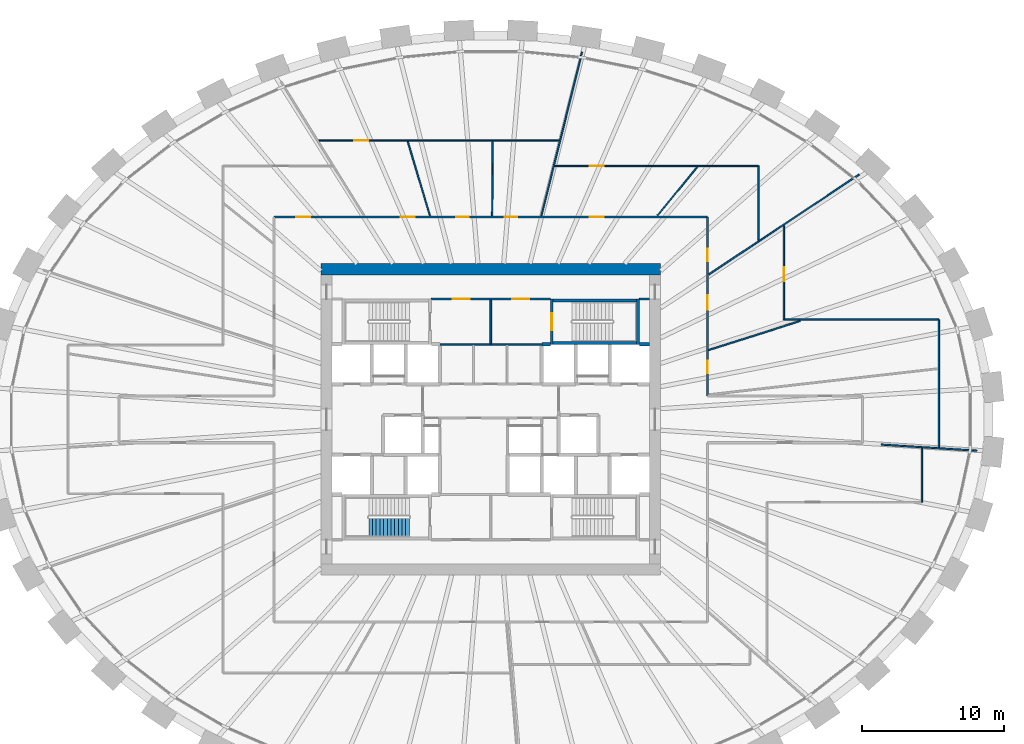
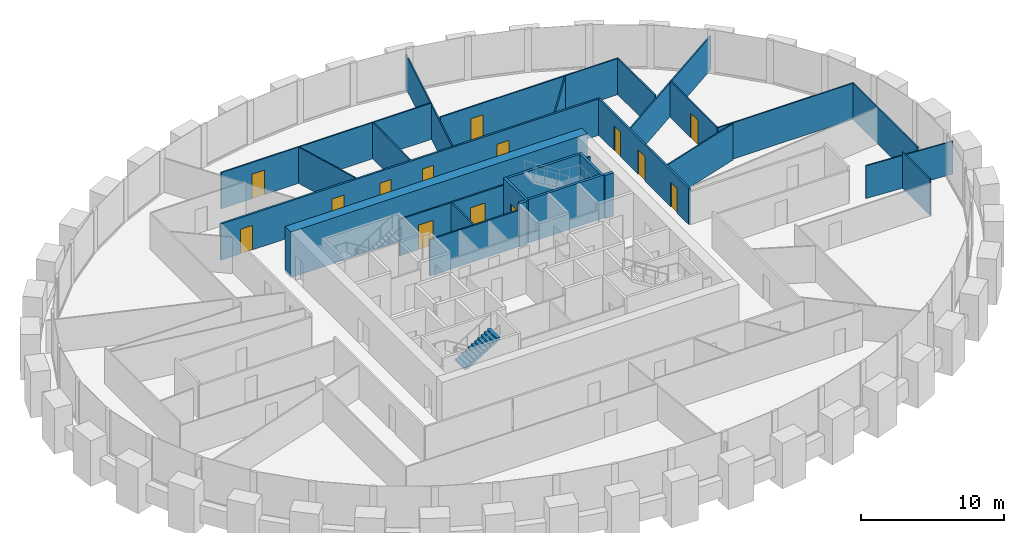
# One storey, part 9 of 11: 27 walls, 14 doors, 1 stair flight, 14 openings, 1 element without a shape of its own.
"""IFC4 building model written with IfcOpenShell, lengths in metres."""

from ifc_helpers import new_model, si_unit, direction, frame, frame_2d, origin, place, context, subcontext, project, spatial, polyline, rectangle, outline, extrude, source, transform, mapped, material, layer, layer_set, type_object, element, fill, aggregate, save


model = new_model("IFC4")

# Units and contexts
model_context = context("Model", 3, precision=1e-05, world=origin(), true_north=direction((0.0, 1.0)))
body_context = subcontext(model_context, "Body", "Model", "MODEL_VIEW")
ifc_project = project(units=[si_unit("LENGTHUNIT", "METRE"), si_unit("AREAUNIT", "SQUARE_METRE"), si_unit("VOLUMEUNIT", "CUBIC_METRE"), si_unit("PLANEANGLEUNIT", "RADIAN"), si_unit("MASSUNIT", "GRAM", prefix="KILO")], contexts=[model_context])

# Site, building, storey
site_placement = place(None, origin())
site = spatial("IfcSite", under=ifc_project, at=site_placement, CompositionType="ELEMENT")
building_placement = place(site_placement, origin())
building = spatial("IfcBuilding", under=site, at=building_placement, Name="Embergate Tower", CompositionType="ELEMENT")
storey_placement = place(building_placement, frame((0.0, 0.0, 219.0)))
storey = spatial("IfcBuildingStorey", under=building, at=storey_placement, Name="L50", CompositionType="ELEMENT", Elevation=219.0)

# Walls
ifc_material_1 = material(Name="Concrete C70", Category="concrete")
ifc_layer_1 = layer(ifc_material_1, 0.800048828125)
ifc_layer_set_1 = layer_set([ifc_layer_1], Name="Concrete C70")
wall_type_1 = type_object("IfcWallType", Name="Core outer wall C70 800", PredefinedType="SHEAR", material=ifc_layer_set_1)
shared_shape_1 = source(origin(), body_context, "Body", "SweptSolid", [
    extrude(rectangle(XDim=24.0, YDim=0.800048828125, at=frame_2d((12.0, 0.0))), origin(), (0.0, 0.0, 1.0), 3.89990234375),
])
wall_1_placement = place(storey_placement, frame((-12.0, 10.60009765625, -0.199951171875), z_axis=(0.0, 0.0, 1.0), x_axis=(1.0, 0.0, 0.0)))
element("IfcWall", 1, at=wall_1_placement, inside=storey, type_object=wall_type_1, Name="CW-L50-N", PredefinedType="SHEAR", context=body_context, shape_type="MappedRepresentation", body=[
    mapped(shared_shape_1, transform((0.0, 0.0, 0.0))),
])
ifc_material_2 = material(Name="Concrete C50", Category="concrete")
ifc_layer_2 = layer(ifc_material_2, 0.199951171875)
ifc_layer_set_2 = layer_set([ifc_layer_2], Name="Concrete C50")
wall_type_2 = type_object("IfcWallType", Name="Stair enclosure wall reinforced concrete 250", PredefinedType="SHEAR", material=ifc_layer_set_2)
shared_shape_2 = source(origin(), body_context, "Body", "SweptSolid", [
    extrude(rectangle(XDim=6.300048828125, YDim=0.199951171875, at=frame_2d((3.14990234375, 0.0))), origin(), (0.0, 0.0, 1.0), 3.699951171875),
])
for number, where, z_axis, x_axis, name in (
    (2, (10.5, 5.39990234375, 0.0), (0.0, 0.0, 1.0), (-1.0, 0.0, 0.0), "SE-1 wall"),
    (3, (10.5, 8.39990234375, 0.0), (0.0, 0.0, 1.0), (-1.0, 0.0, 0.0), "SE-1 wall"),
):
    element("IfcWall", number, at=place(storey_placement, frame(where, z_axis=z_axis, x_axis=x_axis)), inside=storey, type_object=wall_type_2, Name=name, PredefinedType="SHEAR", context=body_context, shape_type="MappedRepresentation", body=[
        mapped(shared_shape_2, transform((0.0, 0.0, 0.0))),
    ])

# Wall, opening, door
shared_shape_3 = source(origin(), body_context, "Body", "SweptSolid", [
    extrude(rectangle(XDim=3.199951171875, YDim=0.199951171875, at=frame_2d((1.60009765625, 0.0))), origin(), (0.0, 0.0, 1.0), 3.699951171875),
])
wall_2_placement = place(storey_placement, frame((4.300048828125, 8.5, 0.0), z_axis=(0.0, 0.0, 1.0), x_axis=(0.0, -1.0, 0.0)))
wall_2 = element("IfcWall", 4, at=wall_2_placement, inside=storey, type_object=wall_type_2, Name="SE-1 wall", PredefinedType="SHEAR", context=body_context, shape_type="MappedRepresentation", body=[
    mapped(shared_shape_3, transform((0.0, 0.0, 0.0))),
])
shared_shape_4 = source(origin(), body_context, "Body", "SweptSolid", [
    extrude(rectangle(XDim=1.199951171875, YDim=2.10009765625, at=frame_2d((0.60009765625, 1.050048828125))), frame((0.0, 0.10986328125, 0.0), z_axis=(0.0, -1.0, 0.0), x_axis=(1.0, 0.0, 0.0)), (0.0, 0.0, 1.0), 0.219970703125),
])
opening_1_placement = place(wall_2_placement, frame((1.0, 0.0, 0.0)))
opening_1 = element("IfcOpeningElement", 5, at=opening_1_placement, cuts=wall_2, Name="Opening IF-2", PredefinedType="OPENING", context=body_context, shape_type="MappedRepresentation", body=[
    mapped(shared_shape_4, transform((0.0, 0.0, 0.0))),
])
ifc_material_3 = material(Name="Stair enclosure door 1200")
door_type_1 = type_object("IfcDoorType", Name="Stair enclosure door 1200", OperationType="SINGLE_SWING_LEFT", PredefinedType="DOOR", material=ifc_material_3)
shared_shape_5 = source(origin(), body_context, "Body", "SweptSolid", [
    extrude(rectangle(XDim=1.199951171875, YDim=2.10009765625, at=frame_2d((0.60009765625, 1.050048828125))), frame((0.0, 0.02490234375, 0.0), z_axis=(0.0, -1.0, 0.0), x_axis=(1.0, 0.0, 0.0)), (0.0, 0.0, 1.0), 0.050048828125),
])
door_1_placement = place(opening_1_placement, origin())
door_1 = element("IfcDoor", 6, at=door_1_placement, inside=storey, type_object=door_type_1, Name="IF-2 door", OperationType="SINGLE_SWING_RIGHT", OverallHeight=2.10009765625, OverallWidth=1.199951171875, PredefinedType="DOOR", context=body_context, shape_type="MappedRepresentation", body=[
    mapped(shared_shape_5, transform((0.0, 0.0, 0.0))),
])
fill(opening_1, door_1)

# Wall, openings, doors
ifc_material_4 = material(Name="Core partition blockwork 120")
ifc_layer_3 = layer(ifc_material_4, 0.1201171875)
ifc_layer_set_3 = layer_set([ifc_layer_3], Name="Core partition blockwork 120")
wall_type_3 = type_object("IfcWallType", Name="Core partition blockwork 120", PredefinedType="PARTITIONING", material=ifc_layer_set_3)
shared_shape_6 = source(origin(), body_context, "Body", "SweptSolid", [
    extrude(rectangle(XDim=8.39990234375, YDim=0.1201171875, at=frame_2d((4.199951171875, 0.0))), origin(), (0.0, 0.0, 1.0), 3.10009765625),
])
wall_3_placement = place(storey_placement, frame((4.199951171875, 8.5, 0.0), z_axis=(0.0, 0.0, 1.0), x_axis=(-1.0, 0.0, 0.0)))
wall_3 = element("IfcWall", 7, at=wall_3_placement, inside=storey, type_object=wall_type_3, Name="IP-3 wall", PredefinedType="PARTITIONING", context=body_context, shape_type="MappedRepresentation", body=[
    mapped(shared_shape_6, transform((0.0, 0.0, 0.0))),
])
shared_shape_7 = source(origin(), body_context, "Body", "SweptSolid", [
    extrude(rectangle(XDim=1.199951171875, YDim=2.10009765625, at=frame_2d((0.60009765625, 1.050048828125))), frame((0.0, 0.070068359375, 0.0), z_axis=(0.0, -1.0, 0.0), x_axis=(1.0, 0.0, 0.0)), (0.0, 0.0, 1.0), 0.14013671875),
])
opening_2_placement = place(wall_3_placement, frame((5.699951171875, 0.0, 0.0)))
opening_2 = element("IfcOpeningElement", 8, at=opening_2_placement, cuts=wall_3, Name="Opening IF-3f", PredefinedType="OPENING", context=body_context, shape_type="MappedRepresentation", body=[
    mapped(shared_shape_7, transform((0.0, 0.0, 0.0))),
])
opening_3_placement = place(wall_3_placement, frame((1.5, 0.0, 0.0)))
opening_3 = element("IfcOpeningElement", 9, at=opening_3_placement, cuts=wall_3, Name="Opening IF-3f", PredefinedType="OPENING", context=body_context, shape_type="MappedRepresentation", body=[
    mapped(shared_shape_7, transform((0.0, 0.0, 0.0))),
])
ifc_material_5 = material(Name="Lobby fire door pair 1200")
door_type_2 = type_object("IfcDoorType", Name="Lobby fire door pair 1200", OperationType="DOUBLE_DOOR_SINGLE_SWING", PredefinedType="DOOR", material=ifc_material_5)
door_2_placement = place(opening_2_placement, origin())
door_2 = element("IfcDoor", 10, at=door_2_placement, inside=storey, type_object=door_type_2, Name="IF-3 door", OperationType="DOUBLE_DOOR_SINGLE_SWING", OverallHeight=2.10009765625, OverallWidth=1.199951171875, PredefinedType="DOOR", context=body_context, shape_type="MappedRepresentation", body=[
    mapped(shared_shape_5, transform((0.0, 0.0, 0.0))),
])
fill(opening_2, door_2)
door_3_placement = place(opening_3_placement, origin())
door_3 = element("IfcDoor", 11, at=door_3_placement, inside=storey, type_object=door_type_2, Name="IF-3 door", OperationType="DOUBLE_DOOR_SINGLE_SWING", OverallHeight=2.10009765625, OverallWidth=1.199951171875, PredefinedType="DOOR", context=body_context, shape_type="MappedRepresentation", body=[
    mapped(shared_shape_5, transform((0.0, 0.0, 0.0))),
])
fill(opening_3, door_3)

# Walls
ifc_material_6 = material(Name="Partition dry-lined 100")
ifc_layer_4 = layer(ifc_material_6, 0.10009765625)
ifc_layer_set_4 = layer_set([ifc_layer_4], Name="Partition dry-lined 100")
wall_type_4 = type_object("IfcWallType", Name="Partition dry-lined 100", PredefinedType="PARTITIONING", material=ifc_layer_set_4)
shared_shape_8 = source(origin(), body_context, "Body", "SweptSolid", [
    extrude(rectangle(XDim=10.949951171875, YDim=0.10009765625, at=frame_2d((5.47509765625, 0.0))), origin(), (0.0, 0.0, 1.0), 3.10009765625),
])
wall_4_placement = place(storey_placement, frame((20.699951171875, 7.050048828125, 0.0), z_axis=(0.0, 0.0, 1.0), x_axis=(1.0, 0.0, 0.0)))
element("IfcWall", 12, at=wall_4_placement, inside=storey, type_object=wall_type_4, Name="IP-1 wall", PredefinedType="PARTITIONING", context=body_context, shape_type="MappedRepresentation", body=[
    mapped(shared_shape_8, transform((0.0, 0.0, 0.0))),
])
ifc_layer_5 = layer(ifc_material_2, 0.25)
ifc_layer_set_5 = layer_set([ifc_layer_5], Name="Concrete C50")
wall_type_5 = type_object("IfcWallType", Name="Hoistway wall reinforced concrete 250", PredefinedType="SHEAR", material=ifc_layer_set_5)
shared_shape_9 = source(origin(), body_context, "Body", "SweptSolid", [
    extrude(rectangle(XDim=0.599853515625, YDim=0.25, at=frame_2d((0.2998046875, 0.0))), origin(), (0.0, 0.0, 1.0), 3.699951171875),
])
wall_5_placement = place(storey_placement, frame((4.199951171875, 5.300048828125, 0.0), z_axis=(0.0, 0.0, 1.0), x_axis=(-1.0, 0.0, 0.0)))
element("IfcWall", 13, at=wall_5_placement, inside=storey, type_object=wall_type_5, Name="HW-1 wall", PredefinedType="SHEAR", context=body_context, shape_type="MappedRepresentation", body=[
    mapped(shared_shape_9, transform((0.0, 0.0, 0.0))),
])
shared_shape_10 = source(origin(), body_context, "Body", "SweptSolid", [
    extrude(rectangle(XDim=7.2001953125, YDim=0.1201171875, at=frame_2d((3.60009765625, 0.0))), origin(), (0.0, 0.0, 1.0), 3.10009765625),
])
wall_6_placement = place(storey_placement, frame((-3.60009765625, 5.300048828125, 0.0), z_axis=(0.0, 0.0, 1.0), x_axis=(1.0, 0.0, 0.0)))
element("IfcWall", 14, at=wall_6_placement, inside=storey, type_object=wall_type_3, Name="IP-3 wall", PredefinedType="PARTITIONING", context=body_context, shape_type="MappedRepresentation", body=[
    mapped(shared_shape_10, transform((0.0, 0.0, 0.0))),
])
shared_shape_11 = source(origin(), body_context, "Body", "SweptSolid", [
    extrude(rectangle(XDim=3.079833984375, YDim=0.1201171875, at=frame_2d((1.5400390625, 0.0))), origin(), (0.0, 0.0, 1.0), 3.10009765625),
])
wall_7_placement = place(storey_placement, frame((0.0, 5.360107421875, 0.0), z_axis=(0.0, 0.0, 1.0), x_axis=(0.0, 1.0, 0.0)))
element("IfcWall", 15, at=wall_7_placement, inside=storey, type_object=wall_type_3, Name="IP-3 wall", PredefinedType="PARTITIONING", context=body_context, shape_type="MappedRepresentation", body=[
    mapped(shared_shape_11, transform((0.0, 0.0, 0.0))),
])
shared_shape_12 = source(origin(), body_context, "Body", "SweptSolid", [
    extrude(rectangle(XDim=3.196044921875, YDim=0.199951171875, at=frame_2d((1.59814453125, 0.0))), origin(), (0.0, 0.0, 1.0), 3.699951171875),
])
wall_8_placement = place(storey_placement, frame((10.39990234375, 5.302001953125, 0.0), z_axis=(0.0, 0.0, 1.0), x_axis=(0.0, 1.0, 0.0)))
element("IfcWall", 16, at=wall_8_placement, inside=storey, type_object=wall_type_2, Name="SE-1 wall", PredefinedType="SHEAR", context=body_context, shape_type="MappedRepresentation", body=[
    mapped(shared_shape_12, transform((0.0, 0.0, 0.0))),
])
shared_shape_13 = source(origin(), body_context, "Body", "SweptSolid", [
    extrude(rectangle(XDim=0.697998046875, YDim=0.25, at=frame_2d((0.34912109375, 0.0))), origin(), (0.0, 0.0, 1.0), 3.699951171875),
])
wall_9_placement = place(storey_placement, frame((11.199951171875, 5.300048828125, 0.0), z_axis=(0.0, 0.0, 1.0), x_axis=(-1.0, 0.0, 0.0)))
element("IfcWall", 17, at=wall_9_placement, inside=storey, type_object=wall_type_5, Name="HW-1 wall", PredefinedType="SHEAR", context=body_context, shape_type="MappedRepresentation", body=[
    mapped(shared_shape_13, transform((0.0, 0.0, 0.0))),
])
shared_shape_14 = source(origin(), body_context, "Body", "SweptSolid", [
    extrude(rectangle(XDim=0.697998046875, YDim=0.1201171875, at=frame_2d((0.34912109375, 0.0))), origin(), (0.0, 0.0, 1.0), 3.10009765625),
])
wall_10_placement = place(storey_placement, frame((10.501953125, 8.5, 0.0), z_axis=(0.0, 0.0, 1.0), x_axis=(1.0, 0.0, 0.0)))
element("IfcWall", 18, at=wall_10_placement, inside=storey, type_object=wall_type_3, Name="IP-3 wall", PredefinedType="PARTITIONING", context=body_context, shape_type="MappedRepresentation", body=[
    mapped(shared_shape_14, transform((0.0, 0.0, 0.0))),
])

# Wall, openings, doors
ifc_material_7 = material(Name="Corridor wall dry-lined 150")
ifc_layer_6 = layer(ifc_material_7, 0.14990234375)
ifc_layer_set_6 = layer_set([ifc_layer_6], Name="Corridor wall dry-lined 150")
wall_type_6 = type_object("IfcWallType", Name="Corridor wall dry-lined 150", PredefinedType="PARTITIONING", material=ifc_layer_set_6)
shared_shape_15 = source(origin(), body_context, "Body", "SweptSolid", [
    extrude(rectangle(XDim=30.60009765625, YDim=0.14990234375, at=frame_2d((15.300048828125, 0.0))), origin(), (0.0, 0.0, 1.0), 3.10009765625),
])
wall_11_placement = place(storey_placement, frame((-15.300048828125, 14.300048828125, 0.0), z_axis=(0.0, 0.0, 1.0), x_axis=(1.0, 0.0, 0.0)))
wall_11 = element("IfcWall", 19, at=wall_11_placement, inside=storey, type_object=wall_type_6, Name="IP-2 wall", PredefinedType="PARTITIONING", context=body_context, shape_type="MappedRepresentation", body=[
    mapped(shared_shape_15, transform((0.0, 0.0, 0.0))),
])
shared_shape_16 = source(origin(), body_context, "Body", "SweptSolid", [
    extrude(rectangle(XDim=1.0, YDim=2.10009765625, at=frame_2d((0.5, 1.050048828125))), frame((0.0, 0.0849609375, 0.0), z_axis=(0.0, -1.0, 0.0), x_axis=(1.0, 0.0, 0.0)), (0.0, 0.0, 1.0), 0.169921875),
])
opening_4_placement = place(wall_11_placement, frame((22.2900390625, 0.0, 0.0)))
opening_4 = element("IfcOpeningElement", 20, at=opening_4_placement, cuts=wall_11, Name="Opening ID-2", PredefinedType="OPENING", context=body_context, shape_type="MappedRepresentation", body=[
    mapped(shared_shape_16, transform((0.0, 0.0, 0.0))),
])
shared_shape_17 = source(origin(), body_context, "Body", "SweptSolid", [
    extrude(rectangle(XDim=0.89990234375, YDim=2.10009765625, at=frame_2d((0.449951171875, 1.050048828125))), frame((0.0, 0.0849609375, 0.0), z_axis=(0.0, -1.0, 0.0), x_axis=(1.0, 0.0, 0.0)), (0.0, 0.0, 1.0), 0.169921875),
])
opening_5_placement = place(wall_11_placement, frame((16.283935546875, 0.0, 0.0)))
opening_5 = element("IfcOpeningElement", 21, at=opening_5_placement, cuts=wall_11, Name="Opening IF-1c", PredefinedType="OPENING", context=body_context, shape_type="MappedRepresentation", body=[
    mapped(shared_shape_17, transform((0.0, 0.0, 0.0))),
])
opening_6_placement = place(wall_11_placement, frame((12.84912109375, 0.0, 0.0)))
opening_6 = element("IfcOpeningElement", 22, at=opening_6_placement, cuts=wall_11, Name="Opening IF-1c", PredefinedType="OPENING", context=body_context, shape_type="MappedRepresentation", body=[
    mapped(shared_shape_17, transform((0.0, 0.0, 0.0))),
])
opening_7_placement = place(wall_11_placement, frame((8.945068359375, 0.0, 0.0)))
opening_7 = element("IfcOpeningElement", 23, at=opening_7_placement, cuts=wall_11, Name="Opening ID-2", PredefinedType="OPENING", context=body_context, shape_type="MappedRepresentation", body=[
    mapped(shared_shape_16, transform((0.0, 0.0, 0.0))),
])
opening_8_placement = place(wall_11_placement, frame((1.552001953125, 0.0, 0.0)))
opening_8 = element("IfcOpeningElement", 24, at=opening_8_placement, cuts=wall_11, Name="Opening ID-2", PredefinedType="OPENING", context=body_context, shape_type="MappedRepresentation", body=[
    mapped(shared_shape_16, transform((0.0, 0.0, 0.0))),
])
ifc_material_8 = material(Name="Escape fire door 900")
door_type_3 = type_object("IfcDoorType", Name="Escape fire door 900", OperationType="SINGLE_SWING_LEFT", PredefinedType="DOOR", material=ifc_material_8)
shared_shape_18 = source(origin(), body_context, "Body", "SweptSolid", [
    extrude(rectangle(XDim=0.89990234375, YDim=2.10009765625, at=frame_2d((0.449951171875, 1.050048828125))), frame((0.0, 0.02490234375, 0.0), z_axis=(0.0, -1.0, 0.0), x_axis=(1.0, 0.0, 0.0)), (0.0, 0.0, 1.0), 0.050048828125),
])
door_4_placement = place(opening_5_placement, origin())
door_4 = element("IfcDoor", 25, at=door_4_placement, inside=storey, type_object=door_type_3, Name="IF-1 door", OperationType="SINGLE_SWING_RIGHT", OverallHeight=2.10009765625, OverallWidth=0.89990234375, PredefinedType="DOOR", context=body_context, shape_type="MappedRepresentation", body=[
    mapped(shared_shape_18, transform((0.0, 0.0, 0.0))),
])
fill(opening_5, door_4)
door_5_placement = place(opening_6_placement, origin())
door_5 = element("IfcDoor", 26, at=door_5_placement, inside=storey, type_object=door_type_3, Name="IF-1 door", OperationType="SINGLE_SWING_LEFT", OverallHeight=2.10009765625, OverallWidth=0.89990234375, PredefinedType="DOOR", context=body_context, shape_type="MappedRepresentation", body=[
    mapped(shared_shape_18, transform((0.0, 0.0, 0.0))),
])
fill(opening_6, door_5)
ifc_material_9 = material(Name="Interior door 1000")
door_type_4 = type_object("IfcDoorType", Name="Interior door 1000", OperationType="SINGLE_SWING_LEFT", PredefinedType="DOOR", material=ifc_material_9)
shared_shape_19 = source(origin(), body_context, "Body", "SweptSolid", [
    extrude(rectangle(XDim=1.0, YDim=2.10009765625, at=frame_2d((0.5, 1.050048828125))), frame((0.0, 0.02490234375, 0.0), z_axis=(0.0, -1.0, 0.0), x_axis=(1.0, 0.0, 0.0)), (0.0, 0.0, 1.0), 0.050048828125),
])
door_6_placement = place(opening_4_placement, origin())
door_6 = element("IfcDoor", 27, at=door_6_placement, inside=storey, type_object=door_type_4, Name="ID-2 door", OperationType="SINGLE_SWING_RIGHT", OverallHeight=2.10009765625, OverallWidth=1.0, PredefinedType="DOOR", context=body_context, shape_type="MappedRepresentation", body=[
    mapped(shared_shape_19, transform((0.0, 0.0, 0.0))),
])
fill(opening_4, door_6)
door_7_placement = place(opening_7_placement, origin())
door_7 = element("IfcDoor", 28, at=door_7_placement, inside=storey, type_object=door_type_4, Name="ID-2 door", OperationType="SINGLE_SWING_LEFT", OverallHeight=2.10009765625, OverallWidth=1.0, PredefinedType="DOOR", context=body_context, shape_type="MappedRepresentation", body=[
    mapped(shared_shape_19, transform((0.0, 0.0, 0.0))),
])
fill(opening_7, door_7)
door_8_placement = place(opening_8_placement, origin())
door_8 = element("IfcDoor", 29, at=door_8_placement, inside=storey, type_object=door_type_4, Name="ID-2 door", OperationType="SINGLE_SWING_RIGHT", OverallHeight=2.10009765625, OverallWidth=1.0, PredefinedType="DOOR", context=body_context, shape_type="MappedRepresentation", body=[
    mapped(shared_shape_19, transform((0.0, 0.0, 0.0))),
])
fill(opening_8, door_8)

shared_shape_20 = source(origin(), body_context, "Body", "SweptSolid", [
    extrude(rectangle(XDim=12.650146484375, YDim=0.14990234375, at=frame_2d((6.3251953125, 0.0))), origin(), (0.0, 0.0, 1.0), 3.10009765625),
])
wall_12_placement = place(storey_placement, frame((15.300048828125, 1.64990234375, 0.0), z_axis=(0.0, 0.0, 1.0), x_axis=(0.0, 1.0, 0.0)))
wall_12 = element("IfcWall", 30, at=wall_12_placement, inside=storey, type_object=wall_type_6, Name="IP-2 wall", PredefinedType="PARTITIONING", context=body_context, shape_type="MappedRepresentation", body=[
    mapped(shared_shape_20, transform((0.0, 0.0, 0.0))),
])
opening_9_placement = place(wall_12_placement, frame((1.594970703125, 0.0, 0.0)))
opening_9 = element("IfcOpeningElement", 31, at=opening_9_placement, cuts=wall_12, Name="Opening IF-1c", PredefinedType="OPENING", context=body_context, shape_type="MappedRepresentation", body=[
    mapped(shared_shape_17, transform((0.0, 0.0, 0.0))),
])
opening_10_placement = place(wall_12_placement, frame((6.112060546875, 0.0, 0.0)))
opening_10 = element("IfcOpeningElement", 32, at=opening_10_placement, cuts=wall_12, Name="Opening ID-2", PredefinedType="OPENING", context=body_context, shape_type="MappedRepresentation", body=[
    mapped(shared_shape_16, transform((0.0, 0.0, 0.0))),
])
opening_11_placement = place(wall_12_placement, frame((9.506103515625, 0.0, 0.0)))
opening_11 = element("IfcOpeningElement", 33, at=opening_11_placement, cuts=wall_12, Name="Opening IF-1c", PredefinedType="OPENING", context=body_context, shape_type="MappedRepresentation", body=[
    mapped(shared_shape_17, transform((0.0, 0.0, 0.0))),
])
door_9_placement = place(opening_9_placement, origin())
door_9 = element("IfcDoor", 34, at=door_9_placement, inside=storey, type_object=door_type_3, Name="IF-1 door", OperationType="SINGLE_SWING_LEFT", OverallHeight=2.10009765625, OverallWidth=0.89990234375, PredefinedType="DOOR", context=body_context, shape_type="MappedRepresentation", body=[
    mapped(shared_shape_18, transform((0.0, 0.0, 0.0))),
])
fill(opening_9, door_9)
door_10_placement = place(opening_11_placement, origin())
door_10 = element("IfcDoor", 35, at=door_10_placement, inside=storey, type_object=door_type_3, Name="IF-1 door", OperationType="SINGLE_SWING_RIGHT", OverallHeight=2.10009765625, OverallWidth=0.89990234375, PredefinedType="DOOR", context=body_context, shape_type="MappedRepresentation", body=[
    mapped(shared_shape_18, transform((0.0, 0.0, 0.0))),
])
fill(opening_11, door_10)
door_11_placement = place(opening_10_placement, origin())
door_11 = element("IfcDoor", 36, at=door_11_placement, inside=storey, type_object=door_type_4, Name="ID-2 door", OperationType="SINGLE_SWING_LEFT", OverallHeight=2.10009765625, OverallWidth=1.0, PredefinedType="DOOR", context=body_context, shape_type="MappedRepresentation", body=[
    mapped(shared_shape_19, transform((0.0, 0.0, 0.0))),
])
fill(opening_10, door_11)

# Walls
shared_shape_21 = source(origin(), body_context, "Body", "SweptSolid", [
    extrude(rectangle(XDim=3.839111328125, YDim=0.10009765625, at=frame_2d((1.91943359375, 0.0))), origin(), (0.0, 0.0, 1.0), 3.10009765625),
])
wall_13_placement = place(storey_placement, frame((30.449951171875, -2.010986328125, 0.0), z_axis=(0.0, 0.0, 1.0), x_axis=(0.0, -1.0, 0.0)))
element("IfcWall", 37, at=wall_13_placement, inside=storey, type_object=wall_type_4, Name="IP-1 wall", PredefinedType="PARTITIONING", context=body_context, shape_type="MappedRepresentation", body=[
    mapped(shared_shape_21, transform((0.0, 0.0, 0.0))),
])
shared_shape_22 = source(origin(), body_context, "Body", "SweptSolid", [
    extrude(rectangle(XDim=6.787841796875, YDim=0.10009765625, at=frame_2d((3.39404296875, 0.0))), origin(), (0.0, 0.0, 1.0), 2.800048828125),
])
wall_14_placement = place(storey_placement, frame((34.3359375, -2.2109375, 0.0), z_axis=(0.0, 0.0, 1.0), x_axis=(-0.997934690715, 0.064236695654, 0.0)))
element("IfcWall", 38, at=wall_14_placement, inside=storey, type_object=wall_type_4, Name="IP-1 wall", PredefinedType="PARTITIONING", context=body_context, shape_type="MappedRepresentation", body=[
    mapped(shared_shape_22, transform((0.0, 0.0, 0.0))),
])
shared_shape_23 = source(origin(), body_context, "Body", "SweptSolid", [
    extrude(rectangle(XDim=9.0380859375, YDim=0.10009765625, at=frame_2d((4.51904296875, 0.0))), origin(), (0.0, 0.0, 1.0), 3.10009765625),
])
wall_15_placement = place(storey_placement, frame((31.64990234375, 7.050048828125, 0.0), z_axis=(0.0, 0.0, 1.0), x_axis=(0.0, -1.0, 0.0)))
element("IfcWall", 39, at=wall_15_placement, inside=storey, type_object=wall_type_4, Name="IP-1 wall", PredefinedType="PARTITIONING", context=body_context, shape_type="MappedRepresentation", body=[
    mapped(shared_shape_23, transform((0.0, 0.0, 0.0))),
])
shared_shape_24 = source(origin(), body_context, "Body", "SweptSolid", [
    extrude(rectangle(XDim=6.77490234375, YDim=0.10009765625, at=frame_2d((3.387451171875, 0.0))), origin(), (0.0, 0.0, 1.0), 3.10009765625),
])
wall_16_placement = place(storey_placement, frame((15.389892578125, 4.89794921875, 0.0), z_axis=(0.0, 0.0, 1.0), x_axis=(0.952936191356, 0.303170933969, 0.0)))
element("IfcWall", 40, at=wall_16_placement, inside=storey, type_object=wall_type_4, Name="IP-1 wall", PredefinedType="PARTITIONING", context=body_context, shape_type="MappedRepresentation", body=[
    mapped(shared_shape_24, transform((0.0, 0.0, 0.0))),
])

# Wall, opening, door
shared_shape_25 = source(origin(), body_context, "Body", "SweptSolid", [
    extrude(rectangle(XDim=6.619873046875, YDim=0.10009765625, at=frame_2d((3.31005859375, 0.0))), origin(), (0.0, 0.0, 1.0), 3.10009765625),
])
wall_17_placement = place(storey_placement, frame((20.699951171875, 7.050048828125, 0.0), z_axis=(0.0, 0.0, 1.0), x_axis=(0.0, 1.0, 0.0)))
wall_17 = element("IfcWall", 41, at=wall_17_placement, inside=storey, type_object=wall_type_4, Name="IP-1 wall", PredefinedType="PARTITIONING", context=body_context, shape_type="MappedRepresentation", body=[
    mapped(shared_shape_25, transform((0.0, 0.0, 0.0))),
])
shared_shape_26 = source(origin(), body_context, "Body", "SweptSolid", [
    extrude(rectangle(XDim=1.0, YDim=2.10009765625, at=frame_2d((0.5, 1.050048828125))), frame((0.0, 0.06005859375, 0.0), z_axis=(0.0, -1.0, 0.0), x_axis=(1.0, 0.0, 0.0)), (0.0, 0.0, 1.0), 0.1201171875),
])
opening_12_placement = place(wall_17_placement, frame((2.702880859375, 0.0, 0.0)))
opening_12 = element("IfcOpeningElement", 42, at=opening_12_placement, cuts=wall_17, Name="Opening ID-2", PredefinedType="OPENING", context=body_context, shape_type="MappedRepresentation", body=[
    mapped(shared_shape_26, transform((0.0, 0.0, 0.0))),
])
door_12_placement = place(opening_12_placement, origin())
door_12 = element("IfcDoor", 43, at=door_12_placement, inside=storey, type_object=door_type_4, Name="ID-2 door", OperationType="SINGLE_SWING_LEFT", OverallHeight=2.10009765625, OverallWidth=1.0, PredefinedType="DOOR", context=body_context, shape_type="MappedRepresentation", body=[
    mapped(shared_shape_19, transform((0.0, 0.0, 0.0))),
])
fill(opening_12, door_12)

# Wall
shared_shape_27 = source(origin(), body_context, "Body", "SweptSolid", [
    extrude(rectangle(XDim=4.40625, YDim=0.10009765625, at=frame_2d((2.203125, 0.0))), origin(), (0.0, 0.0, 1.0), 3.10009765625),
])
wall_18_placement = place(storey_placement, frame((11.77587890625, 14.406982421875, 0.0), z_axis=(0.0, 0.0, 1.0), x_axis=(0.632984304521, 0.774164627343, 0.0)))
element("IfcWall", 44, at=wall_18_placement, inside=storey, type_object=wall_type_4, Name="IP-1 wall", PredefinedType="PARTITIONING", context=body_context, shape_type="MappedRepresentation", body=[
    mapped(shared_shape_27, transform((0.0, 0.0, 0.0))),
])

# Wall, opening, door
shared_shape_28 = source(origin(), body_context, "Body", "SweptSolid", [
    extrude(rectangle(XDim=14.389892578125, YDim=0.10009765625, at=frame_2d((7.19482421875, 0.0))), origin(), (0.0, 0.0, 1.0), 3.10009765625),
])
wall_19_placement = place(storey_placement, frame((4.510009765625, 17.89990234375, 0.0), z_axis=(0.0, 0.0, 1.0), x_axis=(1.0, 0.0, 0.0)))
wall_19 = element("IfcWall", 45, at=wall_19_placement, inside=storey, type_object=wall_type_4, Name="IP-1 wall", PredefinedType="PARTITIONING", context=body_context, shape_type="MappedRepresentation", body=[
    mapped(shared_shape_28, transform((0.0, 0.0, 0.0))),
])
opening_13_placement = place(wall_19_placement, frame((2.4677734375, 0.0, 0.0)))
opening_13 = element("IfcOpeningElement", 46, at=opening_13_placement, cuts=wall_19, Name="Opening ID-2", PredefinedType="OPENING", context=body_context, shape_type="MappedRepresentation", body=[
    mapped(shared_shape_26, transform((0.0, 0.0, 0.0))),
])
door_13_placement = place(opening_13_placement, origin())
door_13 = element("IfcDoor", 47, at=door_13_placement, inside=storey, type_object=door_type_4, Name="ID-2 door", OperationType="SINGLE_SWING_RIGHT", OverallHeight=2.10009765625, OverallWidth=1.0, PredefinedType="DOOR", context=body_context, shape_type="MappedRepresentation", body=[
    mapped(shared_shape_19, transform((0.0, 0.0, 0.0))),
])
fill(opening_13, door_13)

# Walls
shared_shape_29 = source(origin(), body_context, "Body", "SweptSolid", [
    extrude(rectangle(XDim=5.239990234375, YDim=0.10009765625, at=frame_2d((2.6201171875, 0.0))), origin(), (0.0, 0.0, 1.0), 3.10009765625),
])
wall_20_placement = place(storey_placement, frame((18.89990234375, 17.89990234375, 0.0), z_axis=(0.0, 0.0, 1.0), x_axis=(0.0, -1.0, 0.0)))
element("IfcWall", 48, at=wall_20_placement, inside=storey, type_object=wall_type_4, Name="IP-1 wall", PredefinedType="PARTITIONING", context=body_context, shape_type="MappedRepresentation", body=[
    mapped(shared_shape_29, transform((0.0, 0.0, 0.0))),
])
shared_shape_30 = source(origin(), body_context, "Body", "SweptSolid", [
    extrude(rectangle(XDim=5.275146484375, YDim=0.10009765625, at=frame_2d((2.6376953125, 0.0))), origin(), (0.0, 0.0, 1.0), 3.10009765625),
])
wall_21_placement = place(storey_placement, frame((0.097900390625, 14.375, 0.0), z_axis=(0.0, 0.0, 1.0), x_axis=(0.006849788388, 0.999976539924, 0.0)))
element("IfcWall", 49, at=wall_21_placement, inside=storey, type_object=wall_type_4, Name="IP-1 wall", PredefinedType="PARTITIONING", context=body_context, shape_type="MappedRepresentation", body=[
    mapped(shared_shape_30, transform((0.0, 0.0, 0.0))),
])

# Wall, opening, door
shared_shape_31 = source(origin(), body_context, "Body", "SweptSolid", [
    extrude(rectangle(XDim=16.97900390625, YDim=0.10009765625, at=frame_2d((8.489501953125, 0.0))), origin(), (0.0, 0.0, 1.0), 3.10009765625),
])
wall_22_placement = place(storey_placement, frame((4.830078125, 19.699951171875, 0.0), z_axis=(0.0, 0.0, 1.0), x_axis=(-1.0, 0.0, 0.0)))
wall_22 = element("IfcWall", 50, at=wall_22_placement, inside=storey, type_object=wall_type_4, Name="IP-1 wall", PredefinedType="PARTITIONING", context=body_context, shape_type="MappedRepresentation", body=[
    mapped(shared_shape_31, transform((0.0, 0.0, 0.0))),
])
opening_14_placement = place(wall_22_placement, frame((13.486572265625, 0.0, 0.0)))
opening_14 = element("IfcOpeningElement", 51, at=opening_14_placement, cuts=wall_22, Name="Opening ID-2", PredefinedType="OPENING", context=body_context, shape_type="MappedRepresentation", body=[
    mapped(shared_shape_26, transform((0.0, 0.0, 0.0))),
])
door_14_placement = place(opening_14_placement, origin())
door_14 = element("IfcDoor", 52, at=door_14_placement, inside=storey, type_object=door_type_4, Name="ID-2 door", OperationType="SINGLE_SWING_RIGHT", OverallHeight=2.10009765625, OverallWidth=1.0, PredefinedType="DOOR", context=body_context, shape_type="MappedRepresentation", body=[
    mapped(shared_shape_19, transform((0.0, 0.0, 0.0))),
])
fill(opening_14, door_14)

# Walls
shared_shape_32 = source(origin(), body_context, "Body", "SweptSolid", [
    extrude(rectangle(XDim=5.47607421875, YDim=0.10009765625, at=frame_2d((2.738037109375, 0.0))), origin(), (0.0, 0.0, 1.0), 3.10009765625),
])
wall_23_placement = place(storey_placement, frame((-4.298095703125, 14.388916015625, 0.0), z_axis=(0.0, 0.0, 1.0), x_axis=(-0.286136947933, 0.958188732467, 0.0)))
element("IfcWall", 53, at=wall_23_placement, inside=storey, type_object=wall_type_4, Name="IP-1 wall", PredefinedType="PARTITIONING", context=body_context, shape_type="MappedRepresentation", body=[
    mapped(shared_shape_32, transform((0.0, 0.0, 0.0))),
])
shared_shape_33 = source(origin(), body_context, "Body", "SweptSolid", [
    extrude(rectangle(XDim=12.753662109375, YDim=0.10009765625, at=frame_2d((6.376953125, 0.0))), origin(), (0.0, 0.0, 1.0), 2.89990234375),
])
wall_24_placement = place(storey_placement, frame((26.02294921875, 17.302978515625, 0.0), z_axis=(0.0, 0.0, 1.0), x_axis=(-0.832697640775, -0.553727946782, 0.0)))
element("IfcWall", 54, at=wall_24_placement, inside=storey, type_object=wall_type_4, Name="IP-1 wall", PredefinedType="PARTITIONING", context=body_context, shape_type="MappedRepresentation", body=[
    mapped(shared_shape_33, transform((0.0, 0.0, 0.0))),
])
shared_shape_34 = source(origin(), body_context, "Body", "SweptSolid", [
    extrude(rectangle(XDim=11.911376953125, YDim=0.10009765625, at=frame_2d((5.95556640625, 0.0))), origin(), (0.0, 0.0, 1.0), 2.89990234375),
])
wall_25_placement = place(storey_placement, frame((3.573974609375, 14.386962890625, 0.0), z_axis=(0.0, 0.0, 1.0), x_axis=(0.241040289229, 0.970515110119, 0.0)))
element("IfcWall", 55, at=wall_25_placement, inside=storey, type_object=wall_type_4, Name="IP-1 wall", PredefinedType="PARTITIONING", context=body_context, shape_type="MappedRepresentation", body=[
    mapped(shared_shape_34, transform((0.0, 0.0, 0.0))),
])

# Stair, stair flight
ifc_material_10 = material(Name="Exit stair")
stair_type = type_object("IfcStairType", Name="Exit stair", PredefinedType="HALF_TURN_STAIR", material=ifc_material_10)
stair_placement = place(storey_placement, origin())
stair = element("IfcStair", 56, at=stair_placement, inside=storey, type_object=stair_type, Name="L50 Exit stair 3", PredefinedType="HALF_TURN_STAIR")
ifc_material_11 = material(Name="Concrete C40", Category="concrete")
stair_flight_type = type_object("IfcStairFlightType", Name="Stair flight reinforced concrete", PredefinedType="STRAIGHT", material=ifc_material_11)
shared_shape_35 = source(origin(), body_context, "Body", "SweptSolid", [
    extrude(outline(polyline([(0.0, 0.0), (0.0, 0.16259765625), (0.260009765625, 0.16259765625), (0.260009765625, 0.324951171875), (0.52001953125, 0.324951171875), (0.52001953125, 0.487548828125), (0.780029296875, 0.487548828125), (0.780029296875, 0.64990234375), (1.0400390625, 0.64990234375), (1.0400390625, 0.8125), (1.300048828125, 0.8125), (1.300048828125, 0.97509765625), (1.56005859375, 0.97509765625), (1.56005859375, 1.137451171875), (1.820068359375, 1.137451171875), (1.820068359375, 1.300048828125), (2.080078125, 1.300048828125), (2.080078125, 1.46240234375), (2.340087890625, 1.46240234375), (2.340087890625, 1.625), (2.60009765625, 1.625), (2.60009765625, 1.78759765625), (2.860107421875, 1.78759765625), (2.860107421875, 1.949951171875), (2.860107421875, 1.61083984375), (0.28271484375, 0.0), (0.0, 0.0)])), frame((0.0, 0.675048828125, 0.0), z_axis=(0.0, -1.0, 0.0), x_axis=(1.0, 0.0, 0.0)), (0.0, 0.0, 1.0), 1.35009765625),
])
stair_flight_placement = place(storey_placement, frame((-8.610107421875, -7.625, 1.949951171875), z_axis=(0.0, 0.0, 1.0), x_axis=(1.0, 0.0, 0.0)))
stair_flight = element("IfcStairFlight", 57, at=stair_flight_placement, type_object=stair_flight_type, Name="ST3 flight 2", NumberOfRisers=12, NumberOfTreads=11, PredefinedType="STRAIGHT", RiserHeight=0.1625, TreadLength=0.26, context=body_context, shape_type="MappedRepresentation", body=[
    mapped(shared_shape_35, transform((0.0, 0.0, 0.0))),
])
aggregate(stair, [stair_flight])

save(model, "model.ifc")
